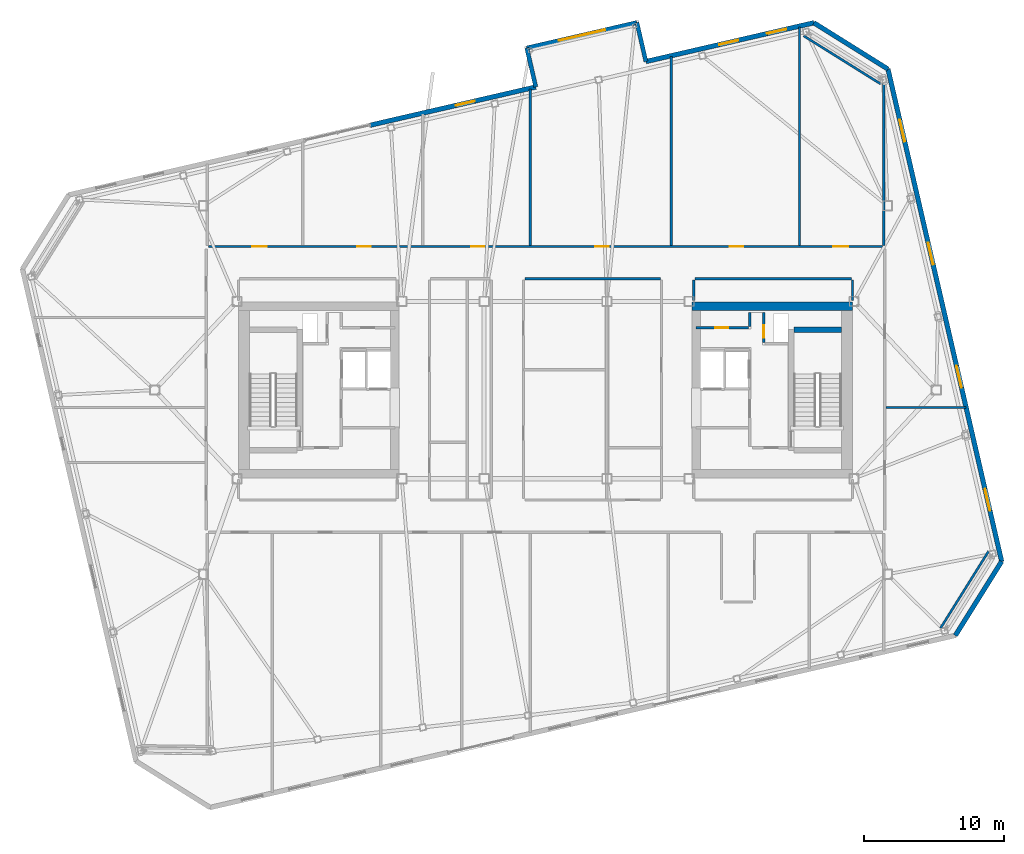
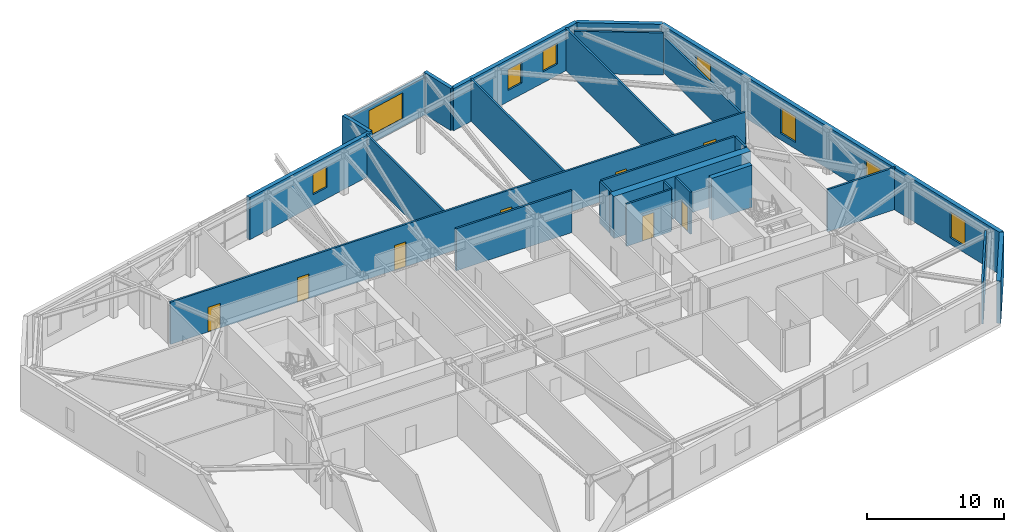
# One storey, part 18 of 22: 25 walls, 8 doors, 8 windows, 16 openings.
"""IFC4 building model written with IfcOpenShell, lengths in metres."""

from ifc_helpers import new_model, si_unit, direction, frame, frame_2d, origin, place, context, subcontext, project, spatial, rectangle, extrude, material, layer, layer_set, type_object, element, fill, save


model = new_model("IFC4")

# Units and contexts
model_context = context("Model", 3, precision=1e-05, world=origin(), true_north=direction((0.0, 1.0)))
body_context = subcontext(model_context, "Body", "Model", "MODEL_VIEW")
ifc_project = project(units=[si_unit("LENGTHUNIT", "METRE"), si_unit("AREAUNIT", "SQUARE_METRE"), si_unit("VOLUMEUNIT", "CUBIC_METRE"), si_unit("PLANEANGLEUNIT", "RADIAN"), si_unit("MASSUNIT", "GRAM", prefix="KILO")], contexts=[model_context])

# Site, building, storey
site_placement = place(None, origin())
site = spatial("IfcSite", under=ifc_project, at=site_placement, CompositionType="ELEMENT")
building_placement = place(site_placement, origin())
building = spatial("IfcBuilding", under=site, at=building_placement, Name="Tavrogorsk Clinical Tower", CompositionType="ELEMENT")
storey_placement = place(building_placement, frame((0.0, 0.0, 317.0)))
storey = spatial("IfcBuildingStorey", under=building, at=storey_placement, Name="L74", CompositionType="ELEMENT", Elevation=317.0)

# Wall, opening, door
ifc_material_1 = material(Name="Lightweight concrete blockwork B15", Category="masonry")
ifc_layer_1 = layer(ifc_material_1, 0.159912109375)
ifc_layer_set_1 = layer_set([ifc_layer_1], Name="Lightweight concrete blockwork B15")
wall_type_1 = type_object("IfcWallType", Name="PartitionWall_160", PredefinedType="PARTITIONING", material=ifc_layer_set_1)
wall_1_placement = place(storey_placement, frame((10.800048828125, 4.4599609375, 0.0), z_axis=(0.0, 0.0, 1.0), x_axis=(1.0, 0.0, 0.0)))
wall_1 = element("IfcWall", 1, at=wall_1_placement, inside=storey, type_object=wall_type_1, Name="L74 Core East Pneumatic Dispatch South Wall", PredefinedType="PARTITIONING", context=body_context, shape_type="SweptSolid", body=[
    extrude(rectangle(XDim=3.7548828125, YDim=0.159912109375, at=frame_2d((1.87744140625, 0.0))), origin(), (0.0, 0.0, 1.0), 3.739990234375),
])
opening_1_placement = place(wall_1_placement, frame((1.35009765625, 0.0, 0.0)))
opening_1 = element("IfcOpeningElement", 2, at=opening_1_placement, cuts=wall_1, Name="Opening ID-02", PredefinedType="OPENING", context=body_context, shape_type="SweptSolid", body=[
    extrude(rectangle(XDim=0.949951171875, YDim=2.199951171875, at=frame_2d((0.47509765625, 1.10009765625))), frame((0.0, 0.08984375, 0.0), z_axis=(0.0, -1.0, 0.0), x_axis=(1.0, 0.0, 0.0)), (0.0, 0.0, 1.0), 0.179931640625),
])
ifc_material_2 = material(Name="Laminated timber leaf on aluminium frame", Category="wood")
door_type_1 = type_object("IfcDoorType", Name="InteriorDoor_ID02_950", OperationType="NOTDEFINED", PredefinedType="DOOR", material=ifc_material_2)
door_1_placement = place(opening_1_placement, origin())
door_1 = element("IfcDoor", 3, at=door_1_placement, inside=storey, type_object=door_type_1, Name="L74 Core East Pneumatic Dispatch Door", OperationType="SINGLE_SWING_LEFT", OverallHeight=2.199951171875, OverallWidth=0.949951171875, PredefinedType="DOOR", context=body_context, shape_type="SweptSolid", body=[
    extrude(rectangle(XDim=0.949951171875, YDim=2.199951171875, at=frame_2d((0.47509765625, 1.10009765625))), frame((0.0, 0.02490234375, 0.0), z_axis=(0.0, -1.0, 0.0), x_axis=(1.0, 0.0, 0.0)), (0.0, 0.0, 1.0), 0.050048828125),
])
fill(opening_1, door_1)

# Walls
wall_2_placement = place(storey_placement, frame((14.639892578125, 4.544921875, 0.0), z_axis=(0.0, 0.0, 1.0), x_axis=(0.0, 1.0, 0.0)))
element("IfcWall", 4, at=wall_2_placement, inside=storey, type_object=wall_type_1, Name="L74 Core East Pneumatic Dispatch East Wall", PredefinedType="PARTITIONING", context=body_context, shape_type="SweptSolid", body=[
    extrude(rectangle(XDim=1.01513671875, YDim=0.159912109375, at=frame_2d((0.507568359375, 0.0))), origin(), (0.0, 0.0, 1.0), 3.739990234375),
])
for number, where, z_axis, x_axis, name in (
    (5, (28.30029296875, -17.064697265625, 0.0), (0.0, 0.0, 1.0), (0.529914601736, 0.848051009591, 0.0), "L74 Corner Exoskeleton Brace Furring Wall 1"),
    (6, (24.018310546875, 21.9306640625, 0.0), (0.0, 0.0, 1.0), (-0.848051009591, 0.529914601736, 0.0), "L74 Corner Exoskeleton Brace Furring Wall 2"),
):
    element("IfcWall", number, at=place(storey_placement, frame(where, z_axis=z_axis, x_axis=x_axis)), inside=storey, type_object=wall_type_1, Name=name, PredefinedType="PARTITIONING", context=body_context, shape_type="SweptSolid", body=[
        extrude(rectangle(XDim=6.50537109375, YDim=0.159912109375, at=frame_2d((3.252685546875, 0.0))), origin(), (0.0, 0.0, 1.0), 3.739990234375),
    ])

# Wall, openings, doors
wall_3_placement = place(storey_placement, frame((-24.14501953125, 10.280029296875, 0.0), z_axis=(0.0, 0.0, 1.0), x_axis=(1.0, 0.0, 0.0)))
wall_3 = element("IfcWall", 7, at=wall_3_placement, inside=storey, type_object=wall_type_1, Name="L74 Corridor Partition 02", PredefinedType="PARTITIONING", context=body_context, shape_type="SweptSolid", body=[
    extrude(rectangle(XDim=48.2900390625, YDim=0.159912109375, at=frame_2d((24.14501953125, 0.0))), origin(), (0.0, 0.0, 1.0), 3.739990234375),
])
opening_2_placement = place(wall_3_placement, frame((3.134033203125, 0.0, 0.0)))
opening_2 = element("IfcOpeningElement", 8, at=opening_2_placement, cuts=wall_3, Name="Opening ID-04", PredefinedType="OPENING", context=body_context, shape_type="SweptSolid", body=[
    extrude(rectangle(XDim=1.050048828125, YDim=2.199951171875, at=frame_2d((0.52490234375, 1.10009765625))), frame((0.0, 0.08984375, 0.0), z_axis=(0.0, -1.0, 0.0), x_axis=(1.0, 0.0, 0.0)), (0.0, 0.0, 1.0), 0.179931640625),
])
opening_3_placement = place(wall_3_placement, frame((10.657470703125, 0.0, 0.0)))
opening_3 = element("IfcOpeningElement", 9, at=opening_3_placement, cuts=wall_3, Name="Opening ID-02", PredefinedType="OPENING", context=body_context, shape_type="SweptSolid", body=[
    extrude(rectangle(XDim=0.949951171875, YDim=2.199951171875, at=frame_2d((0.47509765625, 1.10009765625))), frame((0.0, 0.08984375, 0.0), z_axis=(0.0, -1.0, 0.0), x_axis=(1.0, 0.0, 0.0)), (0.0, 0.0, 1.0), 0.179931640625),
])
opening_4_placement = place(wall_3_placement, frame((18.8125, 0.0, 0.0)))
opening_4 = element("IfcOpeningElement", 10, at=opening_4_placement, cuts=wall_3, Name="Opening ID-02", PredefinedType="OPENING", context=body_context, shape_type="SweptSolid", body=[
    extrude(rectangle(XDim=0.949951171875, YDim=2.199951171875, at=frame_2d((0.47509765625, 1.10009765625))), frame((0.0, 0.08984375, 0.0), z_axis=(0.0, -1.0, 0.0), x_axis=(1.0, 0.0, 0.0)), (0.0, 0.0, 1.0), 0.179931640625),
])
opening_5_placement = place(wall_3_placement, frame((27.71240234375, 0.0, 0.0)))
opening_5 = element("IfcOpeningElement", 11, at=opening_5_placement, cuts=wall_3, Name="Opening ID-02", PredefinedType="OPENING", context=body_context, shape_type="SweptSolid", body=[
    extrude(rectangle(XDim=0.949951171875, YDim=2.199951171875, at=frame_2d((0.47509765625, 1.10009765625))), frame((0.0, 0.08984375, 0.0), z_axis=(0.0, -1.0, 0.0), x_axis=(1.0, 0.0, 0.0)), (0.0, 0.0, 1.0), 0.179931640625),
])
opening_6_placement = place(wall_3_placement, frame((37.357421875, 0.0, 0.0)))
opening_6 = element("IfcOpeningElement", 12, at=opening_6_placement, cuts=wall_3, Name="Opening ID-02", PredefinedType="OPENING", context=body_context, shape_type="SweptSolid", body=[
    extrude(rectangle(XDim=0.949951171875, YDim=2.199951171875, at=frame_2d((0.47509765625, 1.10009765625))), frame((0.0, 0.08984375, 0.0), z_axis=(0.0, -1.0, 0.0), x_axis=(1.0, 0.0, 0.0)), (0.0, 0.0, 1.0), 0.179931640625),
])
opening_7_placement = place(wall_3_placement, frame((44.77587890625, 0.0, 0.0)))
opening_7 = element("IfcOpeningElement", 13, at=opening_7_placement, cuts=wall_3, Name="Opening ID-04", PredefinedType="OPENING", context=body_context, shape_type="SweptSolid", body=[
    extrude(rectangle(XDim=1.050048828125, YDim=2.199951171875, at=frame_2d((0.52490234375, 1.10009765625))), frame((0.0, 0.08984375, 0.0), z_axis=(0.0, -1.0, 0.0), x_axis=(1.0, 0.0, 0.0)), (0.0, 0.0, 1.0), 0.179931640625),
])
ifc_material_3 = material(Name="Antibacterial HPL consultation door on aluminium frame", Category="aluminium")
door_type_2 = type_object("IfcDoorType", Name="ConsultDoor_ID04_1050", OperationType="NOTDEFINED", PredefinedType="DOOR", material=ifc_material_3)
door_2_placement = place(opening_2_placement, origin())
door_2 = element("IfcDoor", 14, at=door_2_placement, inside=storey, type_object=door_type_2, Name="L74 North Preventive Cardiology Conference Room 01 Door", OperationType="SINGLE_SWING_LEFT", OverallHeight=2.199951171875, OverallWidth=1.050048828125, PredefinedType="DOOR", context=body_context, shape_type="SweptSolid", body=[
    extrude(rectangle(XDim=1.050048828125, YDim=2.199951171875, at=frame_2d((0.52490234375, 1.10009765625))), frame((0.0, 0.02490234375, 0.0), z_axis=(0.0, -1.0, 0.0), x_axis=(1.0, 0.0, 0.0)), (0.0, 0.0, 1.0), 0.050048828125),
])
fill(opening_2, door_2)
door_3_placement = place(opening_7_placement, origin())
door_3 = element("IfcDoor", 15, at=door_3_placement, inside=storey, type_object=door_type_2, Name="L74 North Cardiopulmonary Exercise & Stress Lab 04 Door", OperationType="SINGLE_SWING_RIGHT", OverallHeight=2.199951171875, OverallWidth=1.050048828125, PredefinedType="DOOR", context=body_context, shape_type="SweptSolid", body=[
    extrude(rectangle(XDim=1.050048828125, YDim=2.199951171875, at=frame_2d((0.52490234375, 1.10009765625))), frame((0.0, 0.02490234375, 0.0), z_axis=(0.0, -1.0, 0.0), x_axis=(1.0, 0.0, 0.0)), (0.0, 0.0, 1.0), 0.050048828125),
])
fill(opening_7, door_3)
door_4_placement = place(opening_3_placement, origin())
door_4 = element("IfcDoor", 16, at=door_4_placement, inside=storey, type_object=door_type_1, Name="L74 North Executive Health Dining & Quiet Lounge 02A Door", OperationType="SINGLE_SWING_RIGHT", OverallHeight=2.199951171875, OverallWidth=0.949951171875, PredefinedType="DOOR", context=body_context, shape_type="SweptSolid", body=[
    extrude(rectangle(XDim=0.949951171875, YDim=2.199951171875, at=frame_2d((0.47509765625, 1.10009765625))), frame((0.0, 0.02490234375, 0.0), z_axis=(0.0, -1.0, 0.0), x_axis=(1.0, 0.0, 0.0)), (0.0, 0.0, 1.0), 0.050048828125),
])
fill(opening_3, door_4)
door_5_placement = place(opening_4_placement, origin())
door_5 = element("IfcDoor", 17, at=door_5_placement, inside=storey, type_object=door_type_1, Name="L74 North Preventive Cardiology Conference Room 02B Door", OperationType="SINGLE_SWING_LEFT", OverallHeight=2.199951171875, OverallWidth=0.949951171875, PredefinedType="DOOR", context=body_context, shape_type="SweptSolid", body=[
    extrude(rectangle(XDim=0.949951171875, YDim=2.199951171875, at=frame_2d((0.47509765625, 1.10009765625))), frame((0.0, 0.02490234375, 0.0), z_axis=(0.0, -1.0, 0.0), x_axis=(1.0, 0.0, 0.0)), (0.0, 0.0, 1.0), 0.050048828125),
])
fill(opening_4, door_5)
door_6_placement = place(opening_5_placement, origin())
door_6 = element("IfcDoor", 18, at=door_6_placement, inside=storey, type_object=door_type_1, Name="L74 North Preventive Medicine Consultation Office 03A Door", OperationType="SINGLE_SWING_RIGHT", OverallHeight=2.199951171875, OverallWidth=0.949951171875, PredefinedType="DOOR", context=body_context, shape_type="SweptSolid", body=[
    extrude(rectangle(XDim=0.949951171875, YDim=2.199951171875, at=frame_2d((0.47509765625, 1.10009765625))), frame((0.0, 0.02490234375, 0.0), z_axis=(0.0, -1.0, 0.0), x_axis=(1.0, 0.0, 0.0)), (0.0, 0.0, 1.0), 0.050048828125),
])
fill(opening_5, door_6)
door_7_placement = place(opening_6_placement, origin())
door_7 = element("IfcDoor", 19, at=door_7_placement, inside=storey, type_object=door_type_1, Name="L74 North Executive Health Dining & Quiet Lounge 03B Door", OperationType="SINGLE_SWING_LEFT", OverallHeight=2.199951171875, OverallWidth=0.949951171875, PredefinedType="DOOR", context=body_context, shape_type="SweptSolid", body=[
    extrude(rectangle(XDim=0.949951171875, YDim=2.199951171875, at=frame_2d((0.47509765625, 1.10009765625))), frame((0.0, 0.02490234375, 0.0), z_axis=(0.0, -1.0, 0.0), x_axis=(1.0, 0.0, 0.0)), (0.0, 0.0, 1.0), 0.050048828125),
])
fill(opening_6, door_7)

# Walls
wall_4_placement = place(storey_placement, frame((21.9150390625, 7.969970703125, 0.0), z_axis=(0.0, 0.0, 1.0), x_axis=(-1.0, 0.0, 0.0)))
element("IfcWall", 20, at=wall_4_placement, inside=storey, type_object=wall_type_1, Name="L74 Corridor Partition 09", PredefinedType="PARTITIONING", context=body_context, shape_type="SweptSolid", body=[
    extrude(rectangle(XDim=11.199951171875, YDim=0.159912109375, at=frame_2d((5.60009765625, 0.0))), origin(), (0.0, 0.0, 1.0), 3.739990234375),
])
for number, where, z_axis, x_axis, name in (
    (21, (10.6298828125, 7.885009765625, 0.0), (0.0, 0.0, 1.0), (0.0, -1.0, 0.0), "L74 Corridor Partition 10"),
    (22, (22.0, 6.419921875, 0.0), (0.0, 0.0, 1.0), (0.0, 1.0, 0.0), "L74 Corridor Partition 14"),
):
    element("IfcWall", number, at=place(storey_placement, frame(where, z_axis=z_axis, x_axis=x_axis)), inside=storey, type_object=wall_type_1, Name=name, PredefinedType="PARTITIONING", context=body_context, shape_type="SweptSolid", body=[
        extrude(rectangle(XDim=1.465087890625, YDim=0.159912109375, at=frame_2d((0.732421875, 0.0))), origin(), (0.0, 0.0, 1.0), 3.739990234375),
    ])
wall_5_placement = place(storey_placement, frame((8.235107421875, 7.969970703125, 0.0), z_axis=(0.0, 0.0, 1.0), x_axis=(-1.0, 0.0, 0.0)))
element("IfcWall", 23, at=wall_5_placement, inside=storey, type_object=wall_type_1, Name="L74 Corridor Partition 15", PredefinedType="PARTITIONING", context=body_context, shape_type="SweptSolid", body=[
    extrude(rectangle(XDim=9.72021484375, YDim=0.159912109375, at=frame_2d((4.860107421875, 0.0))), origin(), (0.0, 0.0, 1.0), 3.739990234375),
])
wall_6_placement = place(storey_placement, frame((24.22998046875, 10.364990234375, 0.0), z_axis=(0.0, 0.0, 1.0), x_axis=(0.0, 1.0, 0.0)))
element("IfcWall", 24, at=wall_6_placement, inside=storey, type_object=wall_type_1, Name="L74 NE Wing Closure Partition", PredefinedType="PARTITIONING", context=body_context, shape_type="SweptSolid", body=[
    extrude(rectangle(XDim=12.206298828125, YDim=0.159912109375, at=frame_2d((6.10302734375, 0.0))), origin(), (0.0, 0.0, 1.0), 3.18505859375),
])
wall_7_placement = place(storey_placement, frame((-1.090087890625, 10.364990234375, 0.0), z_axis=(0.0, 0.0, 1.0), x_axis=(0.0, 1.0, 0.0)))
element("IfcWall", 25, at=wall_7_placement, inside=storey, type_object=wall_type_1, Name="L74 North Room Partition 2", PredefinedType="PARTITIONING", context=body_context, shape_type="SweptSolid", body=[
    extrude(rectangle(XDim=11.188232421875, YDim=0.159912109375, at=frame_2d((5.59423828125, 0.0))), origin(), (0.0, 0.0, 1.0), 3.739990234375),
])
wall_8_placement = place(storey_placement, frame((18.199951171875, 10.364990234375, 0.0), z_axis=(0.0, 0.0, 1.0), x_axis=(0.0, 1.0, 0.0)))
element("IfcWall", 26, at=wall_8_placement, inside=storey, type_object=wall_type_1, Name="L74 North Room Partition 3", PredefinedType="PARTITIONING", context=body_context, shape_type="SweptSolid", body=[
    extrude(rectangle(XDim=15.6416015625, YDim=0.159912109375, at=frame_2d((7.82080078125, 0.0))), origin(), (0.0, 0.0, 1.0), 3.739990234375),
])
wall_9_placement = place(storey_placement, frame((9.0048828125, 10.364990234375, 0.0), z_axis=(0.0, 0.0, 1.0), x_axis=(0.0, 1.0, 0.0)))
element("IfcWall", 27, at=wall_9_placement, inside=storey, type_object=wall_type_1, Name="L74 North Sub-Partition 3", PredefinedType="PARTITIONING", context=body_context, shape_type="SweptSolid", body=[
    extrude(rectangle(XDim=13.518798828125, YDim=0.159912109375, at=frame_2d((6.75927734375, 0.0))), origin(), (0.0, 0.0, 1.0), 3.739990234375),
])
wall_10_placement = place(storey_placement, frame((24.39501953125, -1.25, 0.0), z_axis=(0.0, 0.0, 1.0), x_axis=(1.0, 0.0, 0.0)))
element("IfcWall", 28, at=wall_10_placement, inside=storey, type_object=wall_type_1, Name="L74 E Wing Divider 1", PredefinedType="PARTITIONING", context=body_context, shape_type="SweptSolid", body=[
    extrude(rectangle(XDim=5.724853515625, YDim=0.159912109375, at=frame_2d((2.8623046875, 0.0))), origin(), (0.0, 0.0, 1.0), 3.739990234375),
])

# Wall, openings, windows
ifc_material_4 = material(Name="Precast concrete B45 with limestone cladding", Category="masonry")
ifc_layer_2 = layer(ifc_material_4, 0.340087890625)
ifc_layer_set_2 = layer_set([ifc_layer_2], Name="Precast concrete B45 with limestone cladding")
wall_type_2 = type_object("IfcWallType", Name="PrecastLimestoneWall_340", PredefinedType="STANDARD", material=ifc_layer_set_2)
wall_11_placement = place(storey_placement, frame((19.2294921875, 26.316162109375, 0.0), z_axis=(0.0, 0.0, 1.0), x_axis=(-0.974371201193, -0.224946131964, 0.0)))
wall_11 = element("IfcWall", 29, at=wall_11_placement, inside=storey, type_object=wall_type_2, Name="L74 N Limestone Facade Wall 1", PredefinedType="STANDARD", context=body_context, shape_type="SweptSolid", body=[
    extrude(rectangle(XDim=12.349853515625, YDim=0.340087890625, at=frame_2d((6.1748046875, 0.0))), origin(), (0.0, 0.0, 1.0), 3.739990234375),
])
opening_8_placement = place(wall_11_placement, frame((5.552978515625, 0.0, 1.0)))
opening_8 = element("IfcOpeningElement", 30, at=opening_8_placement, cuts=wall_11, Name="Opening WN-17", PredefinedType="OPENING", context=body_context, shape_type="SweptSolid", body=[
    extrude(rectangle(XDim=1.39990234375, YDim=1.85009765625, at=frame_2d((0.699951171875, 0.925048828125))), frame((0.0, 0.179931640625, 0.0), z_axis=(0.0, -1.0, 0.0), x_axis=(1.0, 0.0, 0.0)), (0.0, 0.0, 1.0), 0.360107421875),
])
opening_9_placement = place(wall_11_placement, frame((2.041259765625, 0.0, 1.0)))
opening_9 = element("IfcOpeningElement", 31, at=opening_9_placement, cuts=wall_11, Name="Opening WN-17", PredefinedType="OPENING", context=body_context, shape_type="SweptSolid", body=[
    extrude(rectangle(XDim=1.39990234375, YDim=1.85009765625, at=frame_2d((0.699951171875, 0.925048828125))), frame((0.0, 0.179931640625, 0.0), z_axis=(0.0, -1.0, 0.0), x_axis=(1.0, 0.0, 0.0)), (0.0, 0.0, 1.0), 0.360107421875),
])
ifc_material_5 = material(Name="Thermally broken aluminium frame and triple IGU", Category="aluminium")
window_type_1 = type_object("IfcWindowType", Name="TelemetryWin_1400x1850", PartitioningType="SINGLE_PANEL", PredefinedType="WINDOW", material=ifc_material_5)
window_1_placement = place(opening_8_placement, origin())
window_1 = element("IfcWindow", 32, at=window_1_placement, inside=storey, type_object=window_type_1, Name="L74 N Chicago Window 09", OverallHeight=1.85009765625, OverallWidth=1.39990234375, PartitioningType="SINGLE_PANEL", PredefinedType="WINDOW", context=body_context, shape_type="SweptSolid", body=[
    extrude(rectangle(XDim=1.39990234375, YDim=1.85009765625, at=frame_2d((0.699951171875, 0.925048828125))), frame((0.0, 0.030029296875, 0.0), z_axis=(0.0, -1.0, 0.0), x_axis=(1.0, 0.0, 0.0)), (0.0, 0.0, 1.0), 0.06005859375),
])
fill(opening_8, window_1)
window_2_placement = place(opening_9_placement, origin())
window_2 = element("IfcWindow", 33, at=window_2_placement, inside=storey, type_object=window_type_1, Name="L74 N Chicago Window 10", OverallHeight=1.85009765625, OverallWidth=1.39990234375, PartitioningType="SINGLE_PANEL", PredefinedType="WINDOW", context=body_context, shape_type="SweptSolid", body=[
    extrude(rectangle(XDim=1.39990234375, YDim=1.85009765625, at=frame_2d((0.699951171875, 0.925048828125))), frame((0.0, 0.030029296875, 0.0), z_axis=(0.0, -1.0, 0.0), x_axis=(1.0, 0.0, 0.0)), (0.0, 0.0, 1.0), 0.06005859375),
])
fill(opening_9, window_2)

# Wall, opening, window
wall_12_placement = place(storey_placement, frame((-0.6962890625, 21.716064453125, 0.0), z_axis=(0.0, 0.0, 1.0), x_axis=(-0.974367550465, -0.224961944785, 0.0)))
wall_12 = element("IfcWall", 34, at=wall_12_placement, inside=storey, type_object=wall_type_2, Name="L74 N Limestone Facade Wall 2", PredefinedType="STANDARD", context=body_context, shape_type="SweptSolid", body=[
    extrude(rectangle(XDim=12.18408203125, YDim=0.340087890625, at=frame_2d((6.092041015625, 0.0))), origin(), (0.0, 0.0, 1.0), 3.739990234375),
])
opening_10_placement = place(wall_12_placement, frame((4.494140625, 0.0, 1.0)))
opening_10 = element("IfcOpeningElement", 35, at=opening_10_placement, cuts=wall_12, Name="Opening WN-17", PredefinedType="OPENING", context=body_context, shape_type="SweptSolid", body=[
    extrude(rectangle(XDim=1.39990234375, YDim=1.85009765625, at=frame_2d((0.699951171875, 0.925048828125))), frame((0.0, 0.179931640625, 0.0), z_axis=(0.0, -1.0, 0.0), x_axis=(1.0, 0.0, 0.0)), (0.0, 0.0, 1.0), 0.360107421875),
])
window_3_placement = place(opening_10_placement, origin())
window_3 = element("IfcWindow", 36, at=window_3_placement, inside=storey, type_object=window_type_1, Name="L74 N Chicago Window 06", OverallHeight=1.85009765625, OverallWidth=1.39990234375, PartitioningType="SINGLE_PANEL", PredefinedType="WINDOW", context=body_context, shape_type="SweptSolid", body=[
    extrude(rectangle(XDim=1.39990234375, YDim=1.85009765625, at=frame_2d((0.699951171875, 0.925048828125))), frame((0.0, 0.030029296875, 0.0), z_axis=(0.0, -1.0, 0.0), x_axis=(1.0, 0.0, 0.0)), (0.0, 0.0, 1.0), 0.06005859375),
])
fill(opening_10, window_3)

# Wall, openings, windows
wall_13_placement = place(storey_placement, frame((32.685791015625, -12.27587890625, 0.0), z_axis=(0.0, 0.0, 1.0), x_axis=(-0.224953091034, 0.974369594576, 0.0)))
wall_13 = element("IfcWall", 37, at=wall_13_placement, inside=storey, type_object=wall_type_2, Name="L74 E Pleated Limestone Wing Wall", PredefinedType="STANDARD", context=body_context, shape_type="SweptSolid", body=[
    extrude(rectangle(XDim=36.199951171875, YDim=0.340087890625, at=frame_2d((18.10009765625, 0.0))), origin(), (0.0, 0.0, 1.0), 3.739990234375),
])
opening_11_placement = place(wall_13_placement, frame((3.72509765625, 0.0, 0.580078125)))
opening_11 = element("IfcOpeningElement", 38, at=opening_11_placement, cuts=wall_13, Name="Opening WN-07", PredefinedType="OPENING", context=body_context, shape_type="SweptSolid", body=[
    extrude(rectangle(XDim=1.60009765625, YDim=2.300048828125, at=frame_2d((0.800048828125, 1.14990234375))), frame((0.0, 0.179931640625, 0.0), z_axis=(0.0, -1.0, 0.0), x_axis=(1.0, 0.0, 0.0)), (0.0, 0.0, 1.0), 0.360107421875),
])
opening_12_placement = place(wall_13_placement, frame((12.77490234375, 0.0, 0.580078125)))
opening_12 = element("IfcOpeningElement", 39, at=opening_12_placement, cuts=wall_13, Name="Opening WN-07", PredefinedType="OPENING", context=body_context, shape_type="SweptSolid", body=[
    extrude(rectangle(XDim=1.60009765625, YDim=2.300048828125, at=frame_2d((0.800048828125, 1.14990234375))), frame((0.0, 0.179931640625, 0.0), z_axis=(0.0, -1.0, 0.0), x_axis=(1.0, 0.0, 0.0)), (0.0, 0.0, 1.0), 0.360107421875),
])
opening_13_placement = place(wall_13_placement, frame((21.824951171875, 0.0, 0.580078125)))
opening_13 = element("IfcOpeningElement", 40, at=opening_13_placement, cuts=wall_13, Name="Opening WN-07", PredefinedType="OPENING", context=body_context, shape_type="SweptSolid", body=[
    extrude(rectangle(XDim=1.60009765625, YDim=2.300048828125, at=frame_2d((0.800048828125, 1.14990234375))), frame((0.0, 0.179931640625, 0.0), z_axis=(0.0, -1.0, 0.0), x_axis=(1.0, 0.0, 0.0)), (0.0, 0.0, 1.0), 0.360107421875),
])
opening_14_placement = place(wall_13_placement, frame((30.875, 0.0, 0.580078125)))
opening_14 = element("IfcOpeningElement", 41, at=opening_14_placement, cuts=wall_13, Name="Opening WN-07", PredefinedType="OPENING", context=body_context, shape_type="SweptSolid", body=[
    extrude(rectangle(XDim=1.60009765625, YDim=2.300048828125, at=frame_2d((0.800048828125, 1.14990234375))), frame((0.0, 0.179931640625, 0.0), z_axis=(0.0, -1.0, 0.0), x_axis=(1.0, 0.0, 0.0)), (0.0, 0.0, 1.0), 0.360107421875),
])
ifc_material_6 = material(Name="Thermally broken aluminium frame and triple IGU", Category="aluminium")
window_type_2 = type_object("IfcWindowType", Name="PleatSlotWin_1600x2300", PartitioningType="SINGLE_PANEL", PredefinedType="WINDOW", material=ifc_material_6)
window_4_placement = place(opening_11_placement, origin())
window_4 = element("IfcWindow", 42, at=window_4_placement, inside=storey, type_object=window_type_2, Name="L74 E Pleat Slot Window 1", OverallHeight=2.300048828125, OverallWidth=1.60009765625, PartitioningType="SINGLE_PANEL", PredefinedType="WINDOW", context=body_context, shape_type="SweptSolid", body=[
    extrude(rectangle(XDim=1.60009765625, YDim=2.300048828125, at=frame_2d((0.800048828125, 1.14990234375))), frame((0.0, 0.030029296875, 0.0), z_axis=(0.0, -1.0, 0.0), x_axis=(1.0, 0.0, 0.0)), (0.0, 0.0, 1.0), 0.06005859375),
])
fill(opening_11, window_4)
window_5_placement = place(opening_12_placement, origin())
window_5 = element("IfcWindow", 43, at=window_5_placement, inside=storey, type_object=window_type_2, Name="L74 E Pleat Slot Window 2", OverallHeight=2.300048828125, OverallWidth=1.60009765625, PartitioningType="SINGLE_PANEL", PredefinedType="WINDOW", context=body_context, shape_type="SweptSolid", body=[
    extrude(rectangle(XDim=1.60009765625, YDim=2.300048828125, at=frame_2d((0.800048828125, 1.14990234375))), frame((0.0, 0.030029296875, 0.0), z_axis=(0.0, -1.0, 0.0), x_axis=(1.0, 0.0, 0.0)), (0.0, 0.0, 1.0), 0.06005859375),
])
fill(opening_12, window_5)
window_6_placement = place(opening_13_placement, origin())
window_6 = element("IfcWindow", 44, at=window_6_placement, inside=storey, type_object=window_type_2, Name="L74 E Pleat Slot Window 3", OverallHeight=2.300048828125, OverallWidth=1.60009765625, PartitioningType="SINGLE_PANEL", PredefinedType="WINDOW", context=body_context, shape_type="SweptSolid", body=[
    extrude(rectangle(XDim=1.60009765625, YDim=2.300048828125, at=frame_2d((0.800048828125, 1.14990234375))), frame((0.0, 0.030029296875, 0.0), z_axis=(0.0, -1.0, 0.0), x_axis=(1.0, 0.0, 0.0)), (0.0, 0.0, 1.0), 0.06005859375),
])
fill(opening_13, window_6)
window_7_placement = place(opening_14_placement, origin())
window_7 = element("IfcWindow", 45, at=window_7_placement, inside=storey, type_object=window_type_2, Name="L74 E Pleat Slot Window 4", OverallHeight=2.300048828125, OverallWidth=1.60009765625, PartitioningType="SINGLE_PANEL", PredefinedType="WINDOW", context=body_context, shape_type="SweptSolid", body=[
    extrude(rectangle(XDim=1.60009765625, YDim=2.300048828125, at=frame_2d((0.800048828125, 1.14990234375))), frame((0.0, 0.030029296875, 0.0), z_axis=(0.0, -1.0, 0.0), x_axis=(1.0, 0.0, 0.0)), (0.0, 0.0, 1.0), 0.06005859375),
])
fill(opening_14, window_7)

# Walls
for number, where, z_axis, x_axis, name in (
    (46, (29.365966796875, -17.5888671875, 0.0), (0.0, 0.0, 1.0), (0.529907862057, 0.848055220921, 0.0), "L74 Chamfered Corner Wall 1"),
    (47, (24.54248046875, 22.996337890625, 0.0), (0.0, 0.0, 1.0), (-0.848055220921, 0.529907862057, 0.0), "L74 Chamfered Corner Wall 2"),
):
    element("IfcWall", number, at=place(storey_placement, frame(where, z_axis=z_axis, x_axis=x_axis)), inside=storey, type_object=wall_type_2, Name=name, PredefinedType="STANDARD", context=body_context, shape_type="SweptSolid", body=[
        extrude(rectangle(XDim=6.264892578125, YDim=0.340087890625, at=frame_2d((3.13232421875, 0.0))), origin(), (0.0, 0.0, 1.0), 3.739990234375),
    ])

# Wall, opening, window
wall_14_placement = place(storey_placement, frame((-1.341796875, 24.512451171875, 0.0), z_axis=(0.0, 0.0, 1.0), x_axis=(0.974371888243, 0.224943155936, 0.0)))
wall_14 = element("IfcWall", 48, at=wall_14_placement, inside=storey, type_object=wall_type_2, Name="L74 Day-Room Limestone Front DRB-10", PredefinedType="STANDARD", context=body_context, shape_type="SweptSolid", body=[
    extrude(rectangle(XDim=8.099853515625, YDim=0.300048828125, at=frame_2d((4.0498046875, 0.0))), origin(), (0.0, 0.0, 1.0), 3.385009765625),
])
opening_15_placement = place(wall_14_placement, frame((2.35009765625, 0.0, 0.679931640625)))
opening_15 = element("IfcOpeningElement", 49, at=opening_15_placement, cuts=wall_14, Name="Opening WN-16", PredefinedType="OPENING", context=body_context, shape_type="SweptSolid", body=[
    extrude(rectangle(XDim=3.39990234375, YDim=2.35009765625, at=frame_2d((1.699951171875, 1.175048828125))), frame((0.0, 0.159912109375, 0.0), z_axis=(0.0, -1.0, 0.0), x_axis=(1.0, 0.0, 0.0)), (0.0, 0.0, 1.0), 0.320068359375),
])
ifc_material_7 = material(Name="Thermally broken aluminium frame and triple IGU", Category="aluminium")
window_type_3 = type_object("IfcWindowType", Name="QuietLoungeWin_3400x2350", PartitioningType="TRIPLE_PANEL_HORIZONTAL", PredefinedType="WINDOW", material=ifc_material_7)
window_8_placement = place(opening_15_placement, origin())
window_8 = element("IfcWindow", 50, at=window_8_placement, inside=storey, type_object=window_type_3, Name="L74 Day-Room Front Bay Window DRB-10", OverallHeight=2.35009765625, OverallWidth=3.39990234375, PartitioningType="SINGLE_PANEL", PredefinedType="WINDOW", context=body_context, shape_type="SweptSolid", body=[
    extrude(rectangle(XDim=3.39990234375, YDim=2.35009765625, at=frame_2d((1.699951171875, 1.175048828125))), frame((0.0, 0.030029296875, 0.0), z_axis=(0.0, -1.0, 0.0), x_axis=(1.0, 0.0, 0.0)), (0.0, 0.0, 1.0), 0.06005859375),
])
fill(opening_15, window_8)

# Wall, opening, door
ifc_material_8 = material(Name="Lightweight concrete blockwork B25", Category="masonry")
ifc_layer_3 = layer(ifc_material_8, 0.159912109375)
ifc_layer_set_3 = layer_set([ifc_layer_3], Name="Lightweight concrete blockwork B25")
wall_type_3 = type_object("IfcWallType", Name="ShaftWall_160", PredefinedType="PARTITIONING", material=ifc_layer_set_3)
wall_15_placement = place(storey_placement, frame((15.639892578125, 3.405029296875, 0.0), z_axis=(0.0, 0.0, 1.0), x_axis=(0.0, 1.0, 0.0)))
wall_15 = element("IfcWall", 51, at=wall_15_placement, inside=storey, type_object=wall_type_3, Name="L74 Core East Riser West Wall", PredefinedType="PARTITIONING", context=body_context, shape_type="SweptSolid", body=[
    extrude(rectangle(XDim=2.155029296875, YDim=0.159912109375, at=frame_2d((1.07763671875, 0.0))), origin(), (0.0, 0.0, 1.0), 3.739990234375),
])
opening_16_placement = place(wall_15_placement, frame((0.35009765625, 0.0, 0.0)))
opening_16 = element("IfcOpeningElement", 52, at=opening_16_placement, cuts=wall_15, Name="Opening FD-02", PredefinedType="OPENING", context=body_context, shape_type="SweptSolid", body=[
    extrude(rectangle(XDim=0.89990234375, YDim=2.199951171875, at=frame_2d((0.449951171875, 1.10009765625))), frame((0.0, 0.08984375, 0.0), z_axis=(0.0, -1.0, 0.0), x_axis=(1.0, 0.0, 0.0)), (0.0, 0.0, 1.0), 0.179931640625),
])
ifc_material_9 = material(Name="Galvanised steel fire-rated door assembly", Category="steel")
door_type_3 = type_object("IfcDoorType", Name="FireDoor_FD02_900", OperationType="NOTDEFINED", PredefinedType="DOOR", material=ifc_material_9)
door_8_placement = place(opening_16_placement, origin())
door_8 = element("IfcDoor", 53, at=door_8_placement, inside=storey, type_object=door_type_3, Name="L74 Core East Electrical Riser Access Door", OperationType="SINGLE_SWING_LEFT", OverallHeight=2.199951171875, OverallWidth=0.89990234375, PredefinedType="DOOR", context=body_context, shape_type="SweptSolid", body=[
    extrude(rectangle(XDim=0.89990234375, YDim=2.199951171875, at=frame_2d((0.449951171875, 1.10009765625))), frame((0.0, 0.02490234375, 0.0), z_axis=(0.0, -1.0, 0.0), x_axis=(1.0, 0.0, 0.0)), (0.0, 0.0, 1.0), 0.050048828125),
])
fill(opening_16, door_8)

# Walls
ifc_material_10 = material(Name="Concrete B80", Category="concrete")
ifc_layer_4 = layer(ifc_material_10, 0.39990234375)
ifc_layer_set_4 = layer_set([ifc_layer_4], Name="Concrete B80")
wall_type_4 = type_object("IfcWallType", Name="ShearWall_400", PredefinedType="SHEAR", material=ifc_layer_set_4)
wall_16_placement = place(storey_placement, frame((17.800048828125, 4.324951171875, 0.0), z_axis=(0.0, 0.0, 1.0), x_axis=(1.0, 0.0, 0.0)))
element("IfcWall", 54, at=wall_16_placement, inside=storey, type_object=wall_type_4, Name="L74 Core East Stair Shaft North Shear Wall", PredefinedType="SHEAR", context=body_context, shape_type="SweptSolid", body=[
    extrude(rectangle(XDim=3.39990234375, YDim=0.39990234375, at=frame_2d((1.699951171875, 0.0))), origin(), (0.0, 0.0, 1.0), 3.739990234375),
])
ifc_material_11 = material(Name="Concrete B80", Category="concrete")
ifc_layer_5 = layer(ifc_material_11, 0.60009765625)
ifc_layer_set_5 = layer_set([ifc_layer_5], Name="Concrete B80")
wall_type_5 = type_object("IfcWallType", Name="ShearWall_600", PredefinedType="SHEAR", material=ifc_layer_set_5)
wall_17_placement = place(storey_placement, frame((10.5, 6.0, 0.0), z_axis=(0.0, 0.0, 1.0), x_axis=(1.0, 0.0, 0.0)))
element("IfcWall", 55, at=wall_17_placement, inside=storey, type_object=wall_type_5, Name="L74 Core East North Shear Wall", PredefinedType="SHEAR", context=body_context, shape_type="SweptSolid", body=[
    extrude(rectangle(XDim=11.5, YDim=0.60009765625, at=frame_2d((5.75, 0.0))), origin(), (0.0, 0.0, 1.0), 3.739990234375),
])
ifc_material_12 = material(Name="Precast concrete B45 with mineral wool", Category="concrete")
ifc_layer_6 = layer(ifc_material_12, 0.300048828125)
ifc_layer_set_6 = layer_set([ifc_layer_6], Name="Precast concrete B45 with mineral wool")
wall_type_6 = type_object("IfcWallType", Name="SpandrelBackWall_300", PredefinedType="STANDARD", material=ifc_layer_set_6)
for number, where, z_axis, x_axis, name in (
    (56, (-0.6962890625, 21.716064453125, 0.0), (0.0, 0.0, 1.0), (-0.224921635065, 0.974376856293, 0.0), "L74 Day-Room Cheek Wall DRB-10-L"),
    (57, (7.196044921875, 23.5380859375, 0.0), (0.0, 0.0, 1.0), (-0.224921635065, 0.974376856293, 0.0), "L74 Day-Room Cheek Wall DRB-10-R"),
):
    element("IfcWall", number, at=place(storey_placement, frame(where, z_axis=z_axis, x_axis=x_axis)), inside=storey, type_object=wall_type_6, Name=name, PredefinedType="STANDARD", context=body_context, shape_type="SweptSolid", body=[
        extrude(rectangle(XDim=2.869873046875, YDim=0.300048828125, at=frame_2d((1.43505859375, 0.0))), origin(), (0.0, 0.0, 1.0), 3.739990234375),
    ])

save(model, "model.ifc")
